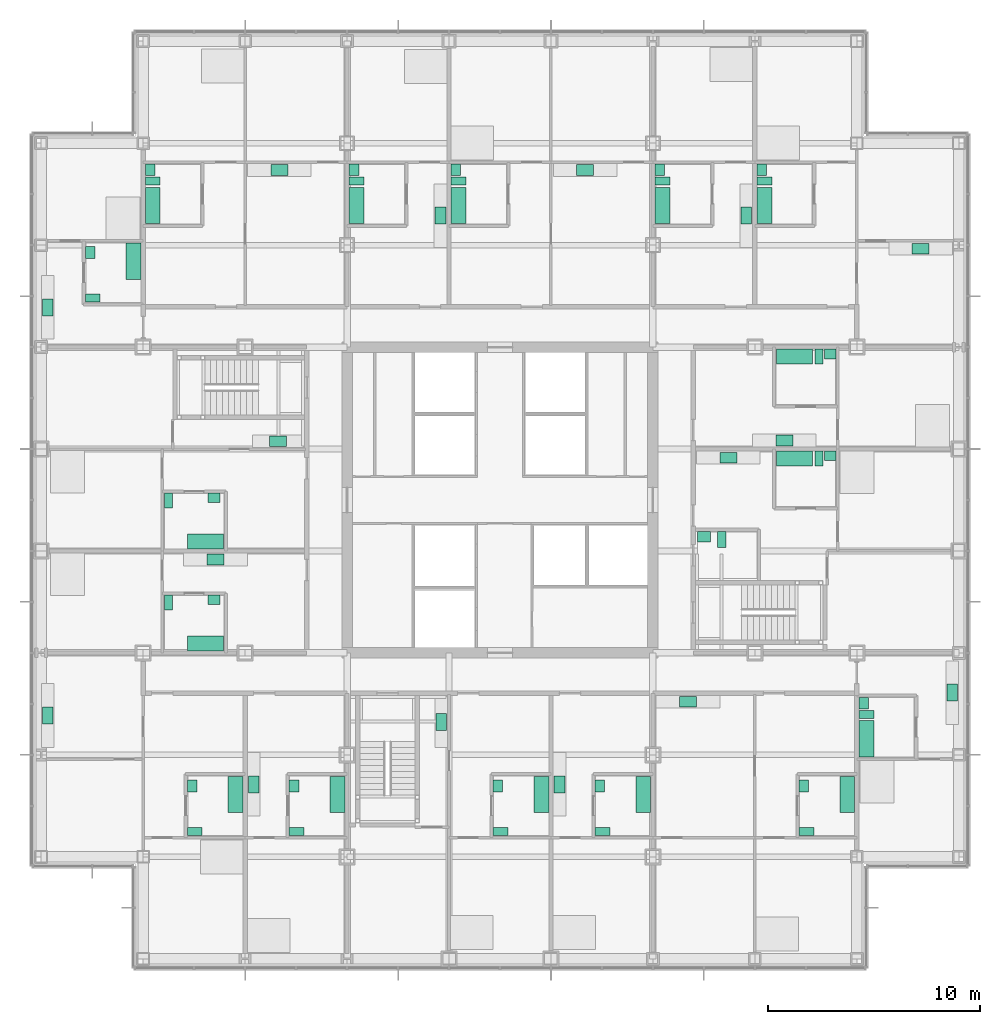
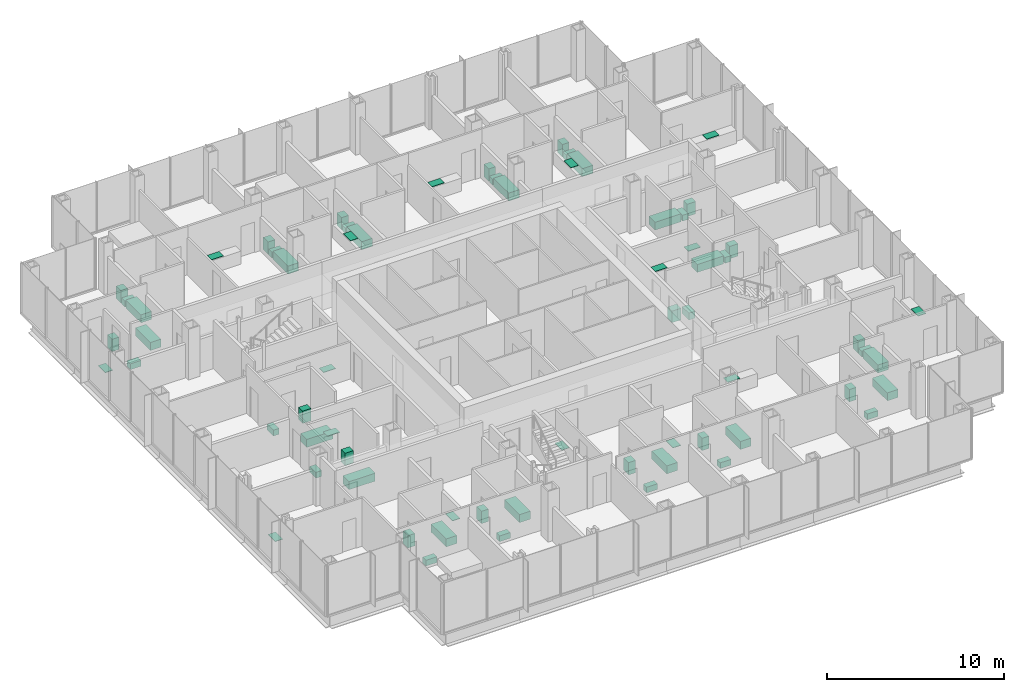
# One storey, part 20 of 21: 66 sanitary terminals.
"""IFC4 building model written with IfcOpenShell, lengths in metres."""

from ifc_helpers import new_model, si_unit, direction, frame, origin, origin_2d, place, context, subcontext, project, spatial, rectangle, extrude, material, type_object, element, save


model = new_model("IFC4")

# Units and contexts
model_context = context("Model", 3, precision=1e-05, world=origin(), true_north=direction((0.0, 1.0)))
body_context = subcontext(model_context, "Body", "Model", "MODEL_VIEW")
ifc_project = project(units=[si_unit("LENGTHUNIT", "METRE"), si_unit("AREAUNIT", "SQUARE_METRE"), si_unit("VOLUMEUNIT", "CUBIC_METRE"), si_unit("PLANEANGLEUNIT", "RADIAN"), si_unit("MASSUNIT", "GRAM", prefix="KILO")], contexts=[model_context])

# Site, building, storey
site_placement = place(None, origin())
site = spatial("IfcSite", under=ifc_project, at=site_placement, CompositionType="ELEMENT")
building_placement = place(site_placement, origin())
building = spatial("IfcBuilding", under=site, at=building_placement, Name="Kvirike Care Tower", CompositionType="ELEMENT")
storey_placement = place(building_placement, frame((0.0, 0.0, 34.0)))
storey = spatial("IfcBuildingStorey", under=building, at=storey_placement, Name="L08", CompositionType="ELEMENT", Elevation=34.0)

# Sanitary terminals
ifc_material_1 = material(Name="Vitreous china", Category="ceramic")
sanitary_terminal_type_1 = type_object("IfcSanitaryTerminalType", Name="ACCESSIBLE WASH BASIN 600 x 500", PredefinedType="WASHHANDBASIN", material=ifc_material_1)
sanitary_terminal_1_placement = place(storey_placement, frame((31.199951171875, 34.27294921875, 0.02001953125), z_axis=(0.0, 0.0, 1.0), x_axis=(1.0, 0.0, 0.0)))
element("IfcSanitaryTerminal", 1, at=sanitary_terminal_1_placement, inside=storey, type_object=sanitary_terminal_type_1, Name="Accessible wash basin L08-061", PredefinedType="WASHHANDBASIN", context=body_context, shape_type="SweptSolid", body=[
    extrude(rectangle(XDim=0.60009765625, YDim=0.5, at=origin_2d()), origin(), (0.0, 0.0, 1.0), 0.800048828125),
])
ifc_material_2 = material(Name="Vitreous china", Category="ceramic")
sanitary_terminal_type_2 = type_object("IfcSanitaryTerminalType", Name="ACCESSIBLE WC PAN 400 x 750", PredefinedType="TOILETPAN", material=ifc_material_2)
sanitary_terminal_2_placement = place(storey_placement, frame((32.050048828125, 34.14794921875, 0.02001953125), z_axis=(0.0, 0.0, 1.0), x_axis=(1.0, 0.0, 0.0)))
element("IfcSanitaryTerminal", 2, at=sanitary_terminal_2_placement, inside=storey, type_object=sanitary_terminal_type_2, Name="Accessible WC pan L08-061", PredefinedType="TOILETPAN", context=body_context, shape_type="SweptSolid", body=[
    extrude(rectangle(XDim=0.39990234375, YDim=0.75, at=origin_2d()), origin(), (0.0, 0.0, 1.0), 0.47998046875),
])
ifc_material_3 = material(Name="Enamelled steel", Category="steel")
sanitary_terminal_type_3 = type_object("IfcSanitaryTerminalType", Name="BATH 1700 x 700", PredefinedType="BATH", material=ifc_material_3)
for number, where, z_axis, x_axis, name in (
    (3, (9.14794921875, 22.125, 0.02001953125), (0.0, 0.0, 1.0), (0.0, -1.0, 0.0), "Bath L08-004"),
    (4, (13.947998046875, 22.125, 0.02001953125), (0.0, 0.0, 1.0), (0.0, -1.0, 0.0), "Bath L08-008"),
    (5, (7.72509765625, 34.052001953125, 0.02001953125), (0.0, 0.0, 1.0), (-1.0, 0.0, 0.0), "Bath L08-014"),
    (6, (7.72509765625, 29.251953125, 0.02001953125), (0.0, 0.0, 1.0), (-1.0, 0.0, 0.0), "Bath L08-018"),
    (7, (5.251953125, 49.875, 0.02001953125), (0.0, 0.0, 1.0), (0.0, 1.0, 0.0), "Bath L08-023"),
    (8, (4.347900390625, 47.239990234375, 0.02001953125), (0.0, 0.0, 1.0), (0.0, -1.0, 0.0), "Bath L08-027"),
    (9, (23.548095703125, 22.125, 0.02001953125), (0.0, 0.0, 1.0), (0.0, -1.0, 0.0), "Bath L08-033"),
    (10, (28.347900390625, 22.125, 0.02001953125), (0.0, 0.0, 1.0), (0.0, -1.0, 0.0), "Bath L08-037"),
    (11, (19.652099609375, 49.875, 0.02001953125), (0.0, 0.0, 1.0), (0.0, 1.0, 0.0), "Bath L08-042"),
    (12, (14.85205078125, 49.875, 0.02001953125), (0.0, 0.0, 1.0), (0.0, 1.0, 0.0), "Bath L08-046"),
    (13, (37.947998046875, 22.125, 0.02001953125), (0.0, 0.0, 1.0), (0.0, -1.0, 0.0), "Bath L08-051"),
    (14, (38.85205078125, 24.760009765625, 0.02001953125), (0.0, 0.0, 1.0), (0.0, 1.0, 0.0), "Bath L08-055"),
    (15, (35.47509765625, 37.947998046875, 0.02001953125), (0.0, 0.0, 1.0), (1.0, 0.0, 0.0), "Bath L08-062"),
    (16, (35.47509765625, 42.748046875, 0.02001953125), (0.0, 0.0, 1.0), (1.0, 0.0, 0.0), "Bath L08-065"),
    (17, (34.052001953125, 49.875, 0.02001953125), (0.0, 0.0, 1.0), (0.0, 1.0, 0.0), "Bath L08-070"),
    (18, (29.251953125, 49.875, 0.02001953125), (0.0, 0.0, 1.0), (0.0, 1.0, 0.0), "Bath L08-074"),
):
    element("IfcSanitaryTerminal", number, at=place(storey_placement, frame(where, z_axis=z_axis, x_axis=x_axis)), inside=storey, type_object=sanitary_terminal_type_3, Name=name, PredefinedType="BATH", context=body_context, shape_type="SweptSolid", body=[
        extrude(rectangle(XDim=1.699951171875, YDim=0.699951171875, at=origin_2d()), origin(), (0.0, 0.0, 1.0), 0.550048828125),
    ])
ifc_material_4 = material(Name="Stainless steel", Category="steel")
sanitary_terminal_type_4 = type_object("IfcSanitaryTerminalType", Name="KITCHEN SINK 800 x 500", PredefinedType="SINK", material=ifc_material_4)
for number, where, z_axis, x_axis, name in (
    (19, (0.302001953125, 25.8544921875, 0.89990234375), (0.0, 0.0, 1.0), (0.0, 1.0, 0.0), "Kitchen sink L08-005"),
    (20, (10.001953125, 22.610107421875, 0.89990234375), (0.0, 0.0, 1.0), (0.0, 1.0, 0.0), "Kitchen sink L08-009"),
    (21, (11.14990234375, 38.761962890625, 0.89990234375), (0.0, 0.0, 1.0), (-1.0, 0.0, 0.0), "Kitchen sink L08-015"),
    (22, (8.2099609375, 33.197998046875, 0.89990234375), (0.0, 0.0, 1.0), (1.0, 0.0, 0.0), "Kitchen sink L08-019"),
    (23, (11.2099609375, 51.5380859375, 0.89990234375), (0.0, 0.0, 1.0), (1.0, 0.0, 0.0), "Kitchen sink L08-024"),
    (24, (0.302001953125, 45.070068359375, 0.89990234375), (0.0, 0.0, 1.0), (0.0, 1.0, 0.0), "Kitchen sink L08-028"),
    (25, (18.837890625, 25.550048828125, 0.89990234375), (0.0, 0.0, 1.0), (0.0, -1.0, 0.0), "Kitchen sink L08-034"),
    (26, (24.402099609375, 22.610107421875, 0.89990234375), (0.0, 0.0, 1.0), (0.0, 1.0, 0.0), "Kitchen sink L08-038"),
    (27, (25.610107421875, 51.5380859375, 0.89990234375), (0.0, 0.0, 1.0), (1.0, 0.0, 0.0), "Kitchen sink L08-043"),
    (28, (18.798095703125, 49.389892578125, 0.89990234375), (0.0, 0.0, 1.0), (0.0, -1.0, 0.0), "Kitchen sink L08-047"),
    (29, (30.449951171875, 26.498046875, 0.89990234375), (0.0, 0.0, 1.0), (1.0, 0.0, 0.0), "Kitchen sink L08-052"),
    (30, (42.89794921875, 26.929931640625, 0.89990234375), (0.0, 0.0, 1.0), (0.0, -1.0, 0.0), "Kitchen sink L08-056"),
    (31, (32.35009765625, 37.998046875, 0.89990234375), (0.0, 0.0, 1.0), (1.0, 0.0, 0.0), "Kitchen sink L08-063"),
    (32, (34.989990234375, 38.802001953125, 0.89990234375), (0.0, 0.0, 1.0), (-1.0, 0.0, 0.0), "Kitchen sink L08-066"),
    (33, (41.409912109375, 47.837890625, 0.89990234375), (0.0, 0.0, 1.0), (1.0, 0.0, 0.0), "Kitchen sink L08-071"),
    (34, (33.197998046875, 49.389892578125, 0.89990234375), (0.0, 0.0, 1.0), (0.0, -1.0, 0.0), "Kitchen sink L08-075"),
):
    element("IfcSanitaryTerminal", number, at=place(storey_placement, frame(where, z_axis=z_axis, x_axis=x_axis)), inside=storey, type_object=sanitary_terminal_type_4, Name=name, PredefinedType="SINK", context=body_context, shape_type="SweptSolid", body=[
        extrude(rectangle(XDim=0.800048828125, YDim=0.5, at=origin_2d()), origin(), (0.0, 0.0, 1.0), 0.030029296875),
    ])
ifc_material_5 = material(Name="Vitreous china", Category="ceramic")
sanitary_terminal_type_5 = type_object("IfcSanitaryTerminalType", Name="WASH BASIN 550 x 450", PredefinedType="WASHHANDBASIN", material=ifc_material_5)
for number, where, z_axis, x_axis, name in (
    (35, (7.10205078125, 22.534912109375, 0.02001953125), (0.0, 0.0, 1.0), (0.0, 1.0, 0.0), "Wash basin L08-004"),
    (36, (11.902099609375, 22.534912109375, 0.02001953125), (0.0, 0.0, 1.0), (0.0, 1.0, 0.0), "Wash basin L08-008"),
    (37, (8.135009765625, 36.097900390625, 0.02001953125), (0.0, 0.0, 1.0), (1.0, 0.0, 0.0), "Wash basin L08-014"),
    (38, (8.135009765625, 31.298095703125, 0.02001953125), (0.0, 0.0, 1.0), (1.0, 0.0, 0.0), "Wash basin L08-018"),
    (39, (5.126953125, 51.550048828125, 0.02001953125), (0.0, 0.0, 1.0), (0.0, 1.0, 0.0), "Wash basin L08-023"),
    (40, (2.302001953125, 47.64990234375, 0.02001953125), (0.0, 0.0, 1.0), (0.0, 1.0, 0.0), "Wash basin L08-027"),
    (41, (21.501953125, 22.534912109375, 0.02001953125), (0.0, 0.0, 1.0), (0.0, 1.0, 0.0), "Wash basin L08-033"),
    (42, (26.302001953125, 22.534912109375, 0.02001953125), (0.0, 0.0, 1.0), (0.0, 1.0, 0.0), "Wash basin L08-037"),
    (43, (19.527099609375, 51.550048828125, 0.02001953125), (0.0, 0.0, 1.0), (0.0, 1.0, 0.0), "Wash basin L08-042"),
    (44, (14.72705078125, 51.550048828125, 0.02001953125), (0.0, 0.0, 1.0), (0.0, 1.0, 0.0), "Wash basin L08-046"),
    (45, (35.902099609375, 22.534912109375, 0.02001953125), (0.0, 0.0, 1.0), (0.0, 1.0, 0.0), "Wash basin L08-051"),
    (46, (38.72705078125, 26.43505859375, 0.02001953125), (0.0, 0.0, 1.0), (0.0, 1.0, 0.0), "Wash basin L08-055"),
    (47, (37.14990234375, 38.072998046875, 0.02001953125), (0.0, 0.0, 1.0), (1.0, 0.0, 0.0), "Wash basin L08-062"),
    (48, (37.14990234375, 42.873046875, 0.02001953125), (0.0, 0.0, 1.0), (1.0, 0.0, 0.0), "Wash basin L08-065"),
    (49, (33.927001953125, 51.550048828125, 0.02001953125), (0.0, 0.0, 1.0), (0.0, 1.0, 0.0), "Wash basin L08-070"),
    (50, (29.126953125, 51.550048828125, 0.02001953125), (0.0, 0.0, 1.0), (0.0, 1.0, 0.0), "Wash basin L08-074"),
):
    element("IfcSanitaryTerminal", number, at=place(storey_placement, frame(where, z_axis=z_axis, x_axis=x_axis)), inside=storey, type_object=sanitary_terminal_type_5, Name=name, PredefinedType="WASHHANDBASIN", context=body_context, shape_type="SweptSolid", body=[
        extrude(rectangle(XDim=0.550048828125, YDim=0.449951171875, at=origin_2d()), origin(), (0.0, 0.0, 1.0), 0.85009765625),
    ])
ifc_material_6 = material(Name="Vitreous china", Category="ceramic")
sanitary_terminal_type_6 = type_object("IfcSanitaryTerminalType", Name="WC PAN 380 x 700", PredefinedType="TOILETPAN", material=ifc_material_6)
for number, where, z_axis, x_axis, name in (
    (51, (7.22705078125, 20.39990234375, 0.02001953125), (0.0, 0.0, 1.0), (0.0, 1.0, 0.0), "WC pan L08-004"),
    (52, (12.027099609375, 20.39990234375, 0.02001953125), (0.0, 0.0, 1.0), (0.0, 1.0, 0.0), "WC pan L08-008"),
    (53, (6.0, 35.972900390625, 0.02001953125), (0.0, 0.0, 1.0), (1.0, 0.0, 0.0), "WC pan L08-014"),
    (54, (6.0, 31.173095703125, 0.02001953125), (0.0, 0.0, 1.0), (1.0, 0.0, 0.0), "WC pan L08-018"),
    (55, (5.251953125, 51.014892578125, 0.02001953125), (0.0, 0.0, 1.0), (0.0, 1.0, 0.0), "WC pan L08-023"),
    (56, (2.427001953125, 45.514892578125, 0.02001953125), (0.0, 0.0, 1.0), (0.0, 1.0, 0.0), "WC pan L08-027"),
    (57, (21.626953125, 20.39990234375, 0.02001953125), (0.0, 0.0, 1.0), (0.0, 1.0, 0.0), "WC pan L08-033"),
    (58, (26.427001953125, 20.39990234375, 0.02001953125), (0.0, 0.0, 1.0), (0.0, 1.0, 0.0), "WC pan L08-037"),
    (59, (19.652099609375, 51.014892578125, 0.02001953125), (0.0, 0.0, 1.0), (0.0, 1.0, 0.0), "WC pan L08-042"),
    (60, (14.85205078125, 51.014892578125, 0.02001953125), (0.0, 0.0, 1.0), (0.0, 1.0, 0.0), "WC pan L08-046"),
    (61, (36.027099609375, 20.39990234375, 0.02001953125), (0.0, 0.0, 1.0), (0.0, 1.0, 0.0), "WC pan L08-051"),
    (62, (38.85205078125, 25.89990234375, 0.02001953125), (0.0, 0.0, 1.0), (0.0, 1.0, 0.0), "WC pan L08-055"),
    (63, (36.614990234375, 37.947998046875, 0.02001953125), (0.0, 0.0, 1.0), (1.0, 0.0, 0.0), "WC pan L08-062"),
    (64, (36.614990234375, 42.748046875, 0.02001953125), (0.0, 0.0, 1.0), (1.0, 0.0, 0.0), "WC pan L08-065"),
    (65, (34.052001953125, 51.014892578125, 0.02001953125), (0.0, 0.0, 1.0), (0.0, 1.0, 0.0), "WC pan L08-070"),
    (66, (29.251953125, 51.014892578125, 0.02001953125), (0.0, 0.0, 1.0), (0.0, 1.0, 0.0), "WC pan L08-074"),
):
    element("IfcSanitaryTerminal", number, at=place(storey_placement, frame(where, z_axis=z_axis, x_axis=x_axis)), inside=storey, type_object=sanitary_terminal_type_6, Name=name, PredefinedType="TOILETPAN", context=body_context, shape_type="SweptSolid", body=[
        extrude(rectangle(XDim=0.3798828125, YDim=0.699951171875, at=origin_2d()), origin(), (0.0, 0.0, 1.0), 0.39990234375),
    ])

save(model, "model.ifc")
